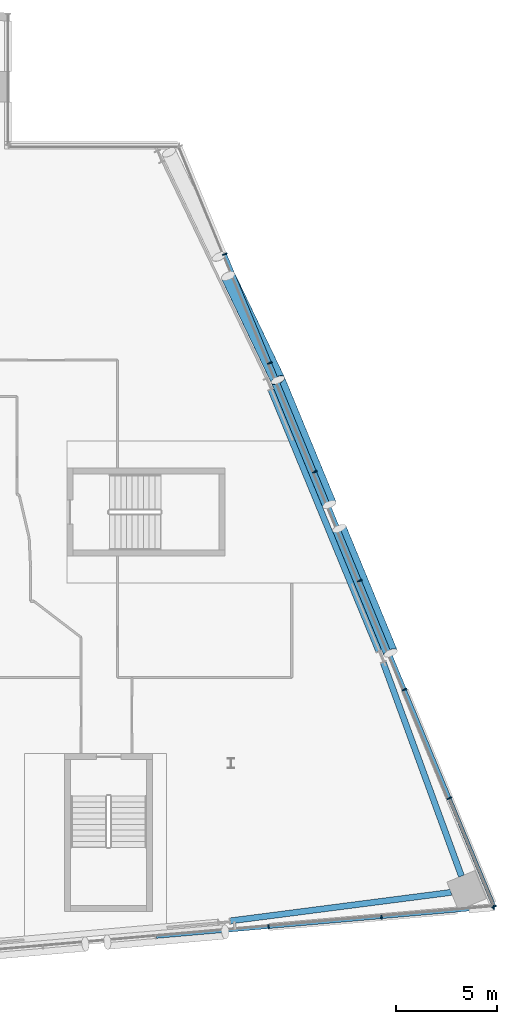
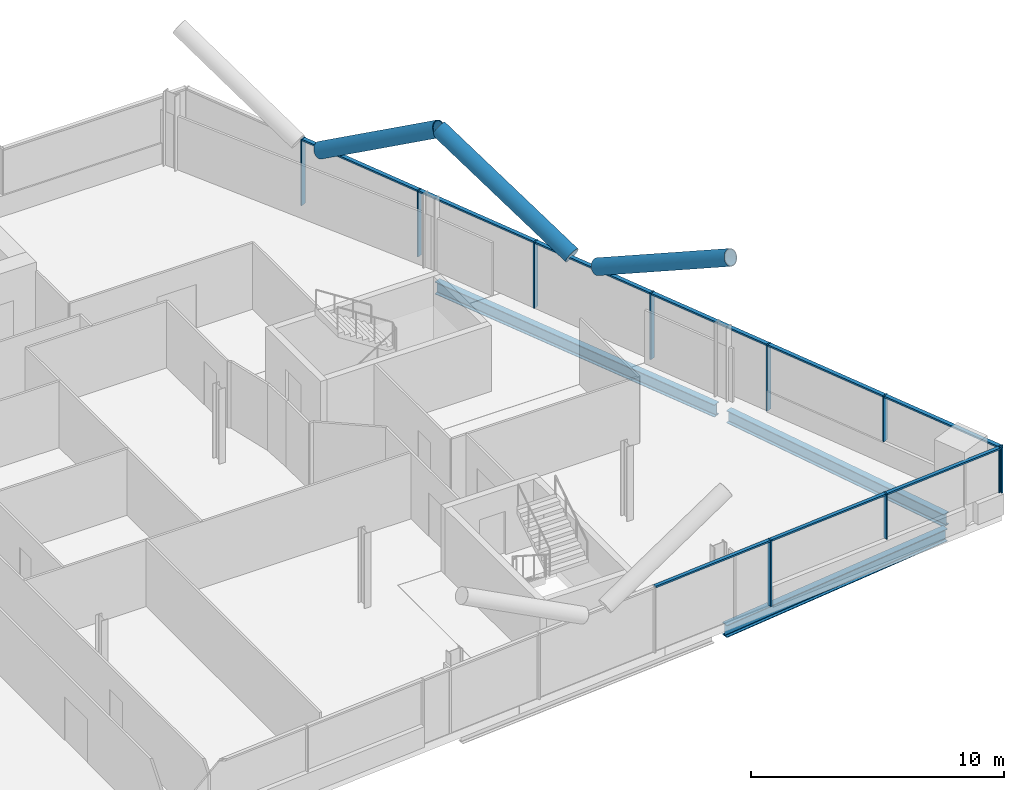
# One storey, part 11 of 26: 22 members, 3 beams, 2 elements without a shape of their own.
"""IFC4 building model written with IfcOpenShell, lengths in metres."""

from ifc_helpers import new_model, si_unit, direction, frame, origin, origin_2d, place, context, subcontext, project, spatial, rectangle, hollow_circle, i_section, extrude, material, material_profile, profile_set, type_object, element, aggregate, save


model = new_model("IFC4")

# Units and contexts
model_context = context("Model", 3, precision=1e-05, world=origin(), true_north=direction((0.0, 1.0)))
body_context = subcontext(model_context, "Body", "Model", "MODEL_VIEW")
ifc_project = project(units=[si_unit("LENGTHUNIT", "METRE"), si_unit("AREAUNIT", "SQUARE_METRE"), si_unit("VOLUMEUNIT", "CUBIC_METRE"), si_unit("PLANEANGLEUNIT", "RADIAN"), si_unit("MASSUNIT", "GRAM", prefix="KILO")], contexts=[model_context])

# Site, building, storey
site_placement = place(None, origin())
site = spatial("IfcSite", under=ifc_project, at=site_placement, CompositionType="ELEMENT")
building_placement = place(site_placement, origin())
building = spatial("IfcBuilding", under=site, at=building_placement, Name="Wharfspan Tower", CompositionType="ELEMENT")
storey_placement = place(building_placement, frame((0.0, 0.0, 173.5)))
storey = spatial("IfcBuildingStorey", under=building, at=storey_placement, Name="L42", CompositionType="ELEMENT", Elevation=173.5)

# Beams
ifc_material_1 = material(Name="Steel S355J2", Category="steel")
ifc_material_profile_1 = material_profile(ifc_material_1, i_section(OverallWidth=0.300049, OverallDepth=0.600098, WebThickness=0.015381, FlangeThickness=0.030029, FilletRadius=0.0271, at=origin_2d()))
ifc_profile_set_1 = profile_set([ifc_material_profile_1], Name="Steel S355J2")
beam_type = type_object("IfcBeamType", Name="Edge beam HEB 600", PredefinedType="SPANDREL", material=ifc_profile_set_1)
beam_1_placement = place(storey_placement, frame((71.965576, 3.724121, -0.699951), z_axis=(0.991764, 0.128077, 0.0), x_axis=(-0.128077, 0.991764, 0.0)))
element("IfcBeam", 1, at=beam_1_placement, inside=storey, type_object=beam_type, Name="Edge beam S2 L42 PS2.2 to MC4", PredefinedType="SPANDREL", context=body_context, shape_type="SweptSolid", body=[
    extrude(i_section(OverallWidth=0.300049, OverallDepth=0.600098, WebThickness=0.015381, FlangeThickness=0.030029, FilletRadius=0.0271, at=origin_2d()), origin(), (0.0, 0.0, 1.0), 10.991211),
])
beam_2_placement = place(storey_placement, frame((83.375732, 5.931885, -0.699951), z_axis=(-0.343871, 0.939017, 0.0), x_axis=(-0.939017, -0.343871, 0.0)))
element("IfcBeam", 2, at=beam_2_placement, inside=storey, type_object=beam_type, Name="Edge beam E L42 MC4 to PE.1", PredefinedType="SPANDREL", context=body_context, shape_type="SweptSolid", body=[
    extrude(i_section(OverallWidth=0.300049, OverallDepth=0.600098, WebThickness=0.015381, FlangeThickness=0.030029, FilletRadius=0.0271, at=origin_2d()), origin(), (0.0, 0.0, 1.0), 11.226807),
])
beam_3_placement = place(storey_placement, frame((79.292969, 17.044434, -0.699951), z_axis=(-0.381593, 0.92433, 0.0), x_axis=(-0.92433, -0.381593, 0.0)))
element("IfcBeam", 3, at=beam_3_placement, inside=storey, type_object=beam_type, Name="Edge beam E L42 PE.1 to PE.2", PredefinedType="SPANDREL", context=body_context, shape_type="SweptSolid", body=[
    extrude(i_section(OverallWidth=0.300049, OverallDepth=0.600098, WebThickness=0.015381, FlangeThickness=0.030029, FilletRadius=0.0271, at=origin_2d()), origin(), (0.0, 0.0, 1.0), 13.94751),
])

# Curtain wall, members
ifc_material_2 = material(Name="Aluminium 6063-T6", Category="aluminium")
curtain_wall_type_1 = type_object("IfcCurtainWallType", Name="CURTAIN WALL FACETED FRONT", PredefinedType="NOTDEFINED", material=ifc_material_2)
curtain_wall_1_placement = place(storey_placement, origin())
curtain_wall_1 = element("IfcCurtainWall", 4, at=curtain_wall_1_placement, inside=storey, type_object=curtain_wall_type_1, Name="Curtain wall S2", PredefinedType="NOTDEFINED")
ifc_material_profile_2 = material_profile(ifc_material_2, rectangle(XDim=0.199951, YDim=0.060059, at=origin_2d()))
ifc_profile_set_2 = profile_set([ifc_material_profile_2], Name="Aluminium 6063-T6")
member_type_1 = type_object("IfcMemberType", Name="MULLION FACETED FRONT 60x200", PredefinedType="MULLION", material=ifc_profile_set_2)
member_1_placement = place(storey_placement, frame((73.857178, 3.425049, 0.0), z_axis=(0.0, 0.0, 1.0), x_axis=(-0.087156, 0.996198, 0.0)))
member_1 = element("IfcMember", 5, at=member_1_placement, type_object=member_type_1, Name="Curtain wall S2 mullion 6", PredefinedType="MULLION", context=body_context, shape_type="SweptSolid", body=[
    extrude(rectangle(XDim=0.199951, YDim=0.060059, at=origin_2d()), origin(), (0.0, 0.0, 1.0), 3.199951),
])
member_2_placement = place(storey_placement, frame((79.428467, 3.912598, 1.0), z_axis=(0.0, 0.0, 1.0), x_axis=(-0.087156, 0.996198, 0.0)))
member_2 = element("IfcMember", 6, at=member_2_placement, type_object=member_type_1, Name="Curtain wall S2 mullion 7", PredefinedType="MULLION", context=body_context, shape_type="SweptSolid", body=[
    extrude(rectangle(XDim=0.199951, YDim=0.060059, at=origin_2d()), origin(), (0.0, 0.0, 1.0), 2.199951),
])
member_3_placement = place(storey_placement, frame((84.970215, 4.397461, 1.0), z_axis=(0.0, 0.0, 1.0), x_axis=(-0.087156, 0.996198, 0.0)))
member_3 = element("IfcMember", 7, at=member_3_placement, type_object=member_type_1, Name="Curtain wall S2 mullion 8", PredefinedType="MULLION", context=body_context, shape_type="SweptSolid", body=[
    extrude(rectangle(XDim=0.199951, YDim=0.060059, at=origin_2d()), origin(), (0.0, 0.0, 1.0), 2.199951),
])

curtain_wall_type_2 = type_object("IfcCurtainWallType", Name="CURTAIN WALL PROW AND END", PredefinedType="NOTDEFINED", material=ifc_material_2)
curtain_wall_2_placement = place(storey_placement, origin())
curtain_wall_2 = element("IfcCurtainWall", 8, at=curtain_wall_2_placement, inside=storey, type_object=curtain_wall_type_2, Name="Curtain wall E", PredefinedType="NOTDEFINED")
ifc_material_profile_3 = material_profile(ifc_material_2, rectangle(XDim=0.23999, YDim=0.060059, at=origin_2d()))
ifc_profile_set_3 = profile_set([ifc_material_profile_3], Name="Aluminium 6063-T6")
member_type_2 = type_object("IfcMemberType", Name="MULLION PROW AND END 60x240", PredefinedType="MULLION", material=ifc_profile_set_3)
member_4_placement = place(storey_placement, frame((84.988525, 4.427734, 1.0), z_axis=(0.0, 0.0, 1.0), x_axis=(-0.924325, -0.381602, 0.0)))
member_4 = element("IfcMember", 9, at=member_4_placement, type_object=member_type_2, Name="Curtain wall E mullion 1", PredefinedType="MULLION", context=body_context, shape_type="SweptSolid", body=[
    extrude(rectangle(XDim=0.23999, YDim=0.060059, at=origin_2d()), origin(), (0.0, 0.0, 1.0), 2.199951),
])
member_5_placement = place(storey_placement, frame((82.782471, 9.771484, 1.0), z_axis=(0.0, 0.0, 1.0), x_axis=(-0.924325, -0.381602, 0.0)))
member_5 = element("IfcMember", 10, at=member_5_placement, type_object=member_type_2, Name="Curtain wall E mullion 2", PredefinedType="MULLION", context=body_context, shape_type="SweptSolid", body=[
    extrude(rectangle(XDim=0.23999, YDim=0.060059, at=origin_2d()), origin(), (0.0, 0.0, 1.0), 2.199951),
])
member_6_placement = place(storey_placement, frame((80.564941, 15.142822, 0.0), z_axis=(0.0, 0.0, 1.0), x_axis=(-0.924325, -0.381602, 0.0)))
member_6 = element("IfcMember", 11, at=member_6_placement, type_object=member_type_2, Name="Curtain wall E mullion 3", PredefinedType="MULLION", context=body_context, shape_type="SweptSolid", body=[
    extrude(rectangle(XDim=0.23999, YDim=0.060059, at=origin_2d()), origin(), (0.0, 0.0, 1.0), 3.199951),
])
member_7_placement = place(storey_placement, frame((78.347412, 20.514404, 0.0), z_axis=(0.0, 0.0, 1.0), x_axis=(-0.924325, -0.381602, 0.0)))
member_7 = element("IfcMember", 12, at=member_7_placement, type_object=member_type_2, Name="Curtain wall E mullion 4", PredefinedType="MULLION", context=body_context, shape_type="SweptSolid", body=[
    extrude(rectangle(XDim=0.23999, YDim=0.060059, at=origin_2d()), origin(), (0.0, 0.0, 1.0), 3.199951),
])
member_8_placement = place(storey_placement, frame((76.129639, 25.885742, 0.0), z_axis=(0.0, 0.0, 1.0), x_axis=(-0.924325, -0.381602, 0.0)))
member_8 = element("IfcMember", 13, at=member_8_placement, type_object=member_type_2, Name="Curtain wall E mullion 5", PredefinedType="MULLION", context=body_context, shape_type="SweptSolid", body=[
    extrude(rectangle(XDim=0.23999, YDim=0.060059, at=origin_2d()), origin(), (0.0, 0.0, 1.0), 3.199951),
])
member_9_placement = place(storey_placement, frame((73.912109, 31.25708, 0.0), z_axis=(0.0, 0.0, 1.0), x_axis=(-0.924325, -0.381602, 0.0)))
member_9 = element("IfcMember", 14, at=member_9_placement, type_object=member_type_2, Name="Curtain wall E mullion 6", PredefinedType="MULLION", context=body_context, shape_type="SweptSolid", body=[
    extrude(rectangle(XDim=0.23999, YDim=0.060059, at=origin_2d()), origin(), (0.0, 0.0, 1.0), 3.199951),
])
member_10_placement = place(storey_placement, frame((71.69458, 36.628662, 0.0), z_axis=(0.0, 0.0, 1.0), x_axis=(-0.924325, -0.381602, 0.0)))
member_10 = element("IfcMember", 15, at=member_10_placement, type_object=member_type_2, Name="Curtain wall E mullion 7", PredefinedType="MULLION", context=body_context, shape_type="SweptSolid", body=[
    extrude(rectangle(XDim=0.23999, YDim=0.060059, at=origin_2d()), origin(), (0.0, 0.0, 1.0), 3.199951),
])

# Members
ifc_material_3 = material(Name="Steel S460NH", Category="steel")
ifc_material_profile_4 = material_profile(ifc_material_3, hollow_circle(Radius=0.355469, WallThickness=0.035889, at=origin_2d()))
ifc_profile_set_4 = profile_set([ifc_material_profile_4], Name="Steel S460NH")
member_type_3 = type_object("IfcMemberType", Name="Mega brace CHS 711x36", PredefinedType="BRACE", material=ifc_profile_set_4)
member_11_placement = place(storey_placement, frame((76.854248, 24.275146, 3.216553), z_axis=(-0.342079, 0.828531, 0.443305), x_axis=(-0.924316, -0.381624, -4e-06)))
element("IfcMember", 16, at=member_11_placement, inside=storey, type_object=member_type_3, Name="Mega brace E5 L42 part 2", PredefinedType="BRACE", context=body_context, shape_type="SweptSolid", body=[
    extrude(hollow_circle(Radius=0.355469, WallThickness=0.035889, at=origin_2d()), origin(), (0.0, 0.0, 1.0), 7.406738),
])
member_12_placement = place(storey_placement, frame((77.343018, 23.091309, 3.216553), z_axis=(0.34204, -0.82855, 0.443298), x_axis=(0.924336, 0.38158, -4e-06)))
element("IfcMember", 17, at=member_12_placement, inside=storey, type_object=member_type_3, Name="Mega brace E5 L42 part 4", PredefinedType="BRACE", context=body_context, shape_type="SweptSolid", body=[
    extrude(hollow_circle(Radius=0.355469, WallThickness=0.035889, at=origin_2d()), origin(), (0.0, 0.0, 1.0), 7.406982),
])
member_13_placement = place(storey_placement, frame((71.858154, 35.550537, 3.205811), z_axis=(0.374119, -0.780731, 0.500494), x_axis=(0.90181, 0.432137, -3e-06)))
element("IfcMember", 18, at=member_13_placement, inside=storey, type_object=member_type_3, Name="Mega brace E6 L42 part 4", PredefinedType="BRACE", context=body_context, shape_type="SweptSolid", body=[
    extrude(hollow_circle(Radius=0.355469, WallThickness=0.035889, at=origin_2d()), origin(), (0.0, 0.0, 1.0), 6.581787),
])

# Member
ifc_material_profile_5 = material_profile(ifc_material_2, rectangle(XDim=0.159912, YDim=0.080078, at=origin_2d()))
ifc_profile_set_5 = profile_set([ifc_material_profile_5], Name="Aluminium 6063-T6")
member_type_4 = type_object("IfcMemberType", Name="TRANSOM FACETED FRONT 80x160", PredefinedType="USERDEFINED", material=ifc_profile_set_5)
member_14_placement = place(storey_placement, frame((68.315674, 2.940186, 3.159912), z_axis=(0.996191, 0.087197, 0.0), x_axis=(-0.087197, 0.996191, 0.0)))
member_14 = element("IfcMember", 19, at=member_14_placement, type_object=member_type_4, Name="Curtain wall S2 transom 5", ObjectType="TRANSOM", PredefinedType="USERDEFINED", context=body_context, shape_type="SweptSolid", body=[
    extrude(rectangle(XDim=0.159912, YDim=0.080078, at=origin_2d()), origin(), (0.0, 0.0, 1.0), 5.532471),
])

member_15_placement = place(storey_placement, frame((73.886963, 3.427734, 3.159912), z_axis=(0.996195, 0.087149, 0.0), x_axis=(-0.087149, 0.996195, 0.0)))
member_15 = element("IfcMember", 20, at=member_15_placement, type_object=member_type_4, Name="Curtain wall S2 transom 6", ObjectType="TRANSOM", PredefinedType="USERDEFINED", context=body_context, shape_type="SweptSolid", body=[
    extrude(rectangle(XDim=0.159912, YDim=0.080078, at=origin_2d()), origin(), (0.0, 0.0, 1.0), 5.532715),
])

member_16_placement = place(storey_placement, frame((79.458496, 3.915283, 3.159912), z_axis=(0.996196, 0.087139, 0.0), x_axis=(-0.087139, 0.996196, 0.0)))
member_16 = element("IfcMember", 21, at=member_16_placement, type_object=member_type_4, Name="Curtain wall S2 transom 7", ObjectType="TRANSOM", PredefinedType="USERDEFINED", context=body_context, shape_type="SweptSolid", body=[
    extrude(rectangle(XDim=0.159912, YDim=0.080078, at=origin_2d()), origin(), (0.0, 0.0, 1.0), 5.502686),
])

aggregate(curtain_wall_1, [member_1, member_2, member_3, member_14, member_15, member_16])

ifc_material_profile_6 = material_profile(ifc_material_2, rectangle(XDim=0.179932, YDim=0.080078, at=origin_2d()))
ifc_profile_set_6 = profile_set([ifc_material_profile_6], Name="Aluminium 6063-T6")
member_type_5 = type_object("IfcMemberType", Name="TRANSOM PROW AND END 80x180", PredefinedType="USERDEFINED", material=ifc_profile_set_6)
member_17_placement = place(storey_placement, frame((84.977051, 4.455566, 3.159912), z_axis=(-0.381595, 0.924329, 0.0), x_axis=(-0.924329, -0.381595, 0.0)))
member_17 = element("IfcMember", 22, at=member_17_placement, type_object=member_type_5, Name="Curtain wall E transom 1", ObjectType="TRANSOM", PredefinedType="USERDEFINED", context=body_context, shape_type="SweptSolid", body=[
    extrude(rectangle(XDim=0.179932, YDim=0.080078, at=origin_2d()), origin(), (0.0, 0.0, 1.0), 5.720947),
])

member_18_placement = place(storey_placement, frame((82.770996, 9.799072, 3.159912), z_axis=(-0.381578, 0.924337, 0.0), x_axis=(-0.924337, -0.381578, 0.0)))
member_18 = element("IfcMember", 23, at=member_18_placement, type_object=member_type_5, Name="Curtain wall E transom 2", ObjectType="TRANSOM", PredefinedType="USERDEFINED", context=body_context, shape_type="SweptSolid", body=[
    extrude(rectangle(XDim=0.179932, YDim=0.080078, at=origin_2d()), origin(), (0.0, 0.0, 1.0), 5.751221),
])

member_19_placement = place(storey_placement, frame((80.553467, 15.170654, 3.159912), z_axis=(-0.381629, 0.924315, 0.0), x_axis=(-0.924315, -0.381629, 0.0)))
member_19 = element("IfcMember", 24, at=member_19_placement, type_object=member_type_5, Name="Curtain wall E transom 3", ObjectType="TRANSOM", PredefinedType="USERDEFINED", context=body_context, shape_type="SweptSolid", body=[
    extrude(rectangle(XDim=0.179932, YDim=0.080078, at=origin_2d()), origin(), (0.0, 0.0, 1.0), 5.751221),
])

member_20_placement = place(storey_placement, frame((78.335938, 20.541992, 3.159912), z_axis=(-0.381629, 0.924315, 0.0), x_axis=(-0.924315, -0.381629, 0.0)))
member_20 = element("IfcMember", 25, at=member_20_placement, type_object=member_type_5, Name="Curtain wall E transom 4", ObjectType="TRANSOM", PredefinedType="USERDEFINED", context=body_context, shape_type="SweptSolid", body=[
    extrude(rectangle(XDim=0.179932, YDim=0.080078, at=origin_2d()), origin(), (0.0, 0.0, 1.0), 5.751221),
])

member_21_placement = place(storey_placement, frame((76.118408, 25.91333, 3.159912), z_axis=(-0.381614, 0.924322, 0.0), x_axis=(-0.924322, -0.381614, 0.0)))
member_21 = element("IfcMember", 26, at=member_21_placement, type_object=member_type_5, Name="Curtain wall E transom 5", ObjectType="TRANSOM", PredefinedType="USERDEFINED", context=body_context, shape_type="SweptSolid", body=[
    extrude(rectangle(XDim=0.179932, YDim=0.080078, at=origin_2d()), origin(), (0.0, 0.0, 1.0), 5.751465),
])

member_22_placement = place(storey_placement, frame((73.900635, 31.284912, 3.159912), z_axis=(-0.381593, 0.92433, 0.0), x_axis=(-0.92433, -0.381593, 0.0)))
member_22 = element("IfcMember", 27, at=member_22_placement, type_object=member_type_5, Name="Curtain wall E transom 6", ObjectType="TRANSOM", PredefinedType="USERDEFINED", context=body_context, shape_type="SweptSolid", body=[
    extrude(rectangle(XDim=0.179932, YDim=0.080078, at=origin_2d()), origin(), (0.0, 0.0, 1.0), 5.751221),
])

aggregate(curtain_wall_2, [member_4, member_5, member_6, member_7, member_8, member_9, member_10, member_17, member_18, member_19, member_20, member_21, member_22])

save(model, "model.ifc")
